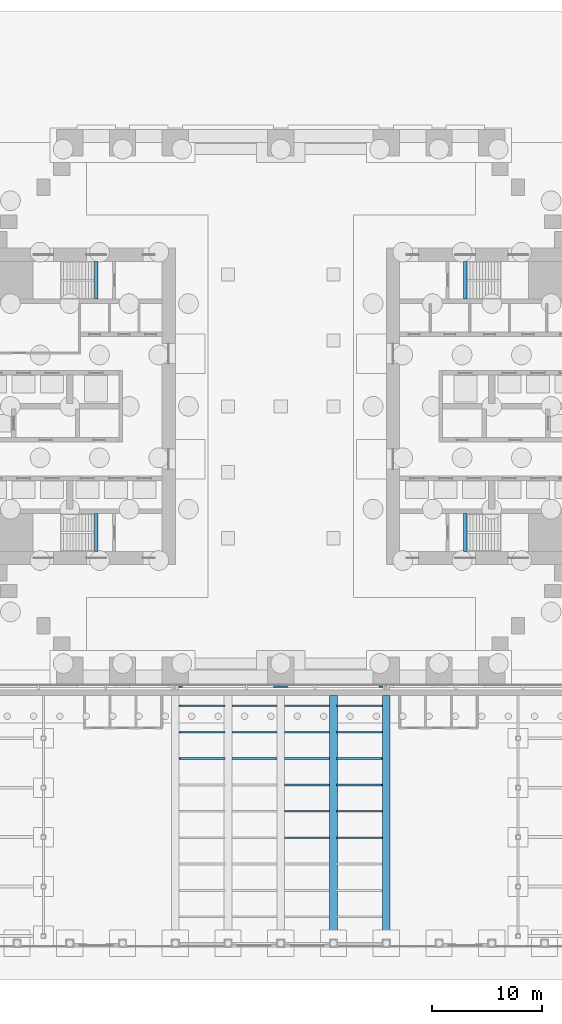
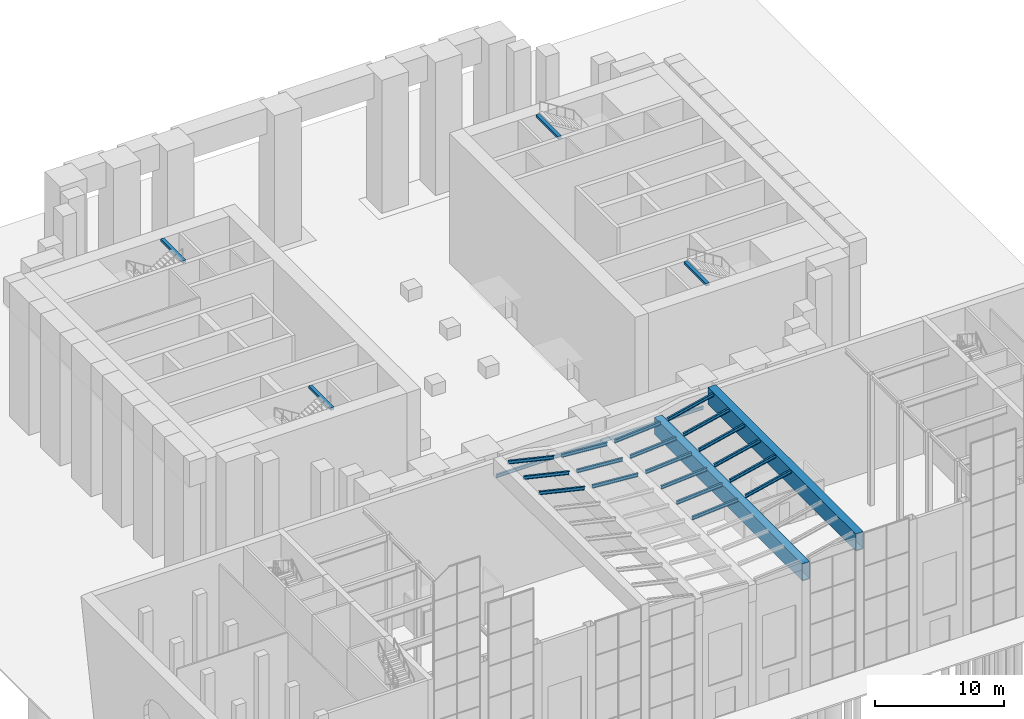
# One storey, part 27 of 58: 25 beams.
"""IFC4 building model written with IfcOpenShell, lengths in metres."""

from ifc_helpers import new_model, si_unit, direction, frame, origin, origin_2d, place, context, subcontext, project, spatial, rectangle, hollow_rectangle, i_section, extrude, material, material_profile, profile_set, type_object, element, save


model = new_model("IFC4")

# Units and contexts
model_context = context("Model", 3, precision=1e-05, world=origin(), true_north=direction((0.0, 1.0)))
body_context = subcontext(model_context, "Body", "Model", "MODEL_VIEW")
ifc_project = project(units=[si_unit("LENGTHUNIT", "METRE"), si_unit("AREAUNIT", "SQUARE_METRE"), si_unit("VOLUMEUNIT", "CUBIC_METRE"), si_unit("PLANEANGLEUNIT", "RADIAN"), si_unit("MASSUNIT", "GRAM", prefix="KILO")], contexts=[model_context])

# Site, building, storey
site_placement = place(None, origin())
site = spatial("IfcSite", under=ifc_project, at=site_placement, CompositionType="ELEMENT")
building_placement = place(site_placement, origin())
building = spatial("IfcBuilding", under=site, at=building_placement, Name="Baori Bourse Tower", CompositionType="ELEMENT")
storey_placement = place(building_placement, origin())
storey = spatial("IfcBuildingStorey", under=building, at=storey_placement, Name="L00", CompositionType="ELEMENT", Elevation=0.0)

# Beams
ifc_material_1 = material(Name="Steel A572 Gr 50", Category="steel")
ifc_material_profile_1 = material_profile(ifc_material_1, hollow_rectangle(XDim=0.699951171875, YDim=1.60009765625, WallThickness=0.030029296875, at=origin_2d()), Name="BOX 1600x700x30")
ifc_profile_set_1 = profile_set([ifc_material_profile_1], Name="Steel A572 Gr 50")
beam_type_1 = type_object("IfcBeamType", Name="Hall box girder 1600x700", PredefinedType="BEAM", material=ifc_profile_set_1)
for number, where, z_axis, x_axis, name in (
    (1, (33.60009765625, -25.199951171875, 11.073486328125), (0.0, 1.0, 0.0), (-1.0, 0.0, 0.0), "wing/L00/girder/004"),
    (2, (38.39990234375, -25.199951171875, 12.229248046875), (0.0, 1.0, 0.0), (-1.0, 0.0, 0.0), "wing/L00/girder/005"),
):
    element("IfcBeam", number, at=place(storey_placement, frame(where, z_axis=z_axis, x_axis=x_axis)), inside=storey, type_object=beam_type_1, Name=name, PredefinedType="BEAM", context=body_context, shape_type="SweptSolid", body=[
        extrude(hollow_rectangle(XDim=0.699951171875, YDim=1.60009765625, WallThickness=0.030029296875, at=origin_2d()), origin(), (0.0, 0.0, 1.0), 22.89990234375),
    ])
ifc_material_2 = material(Name="Concrete f'c 50 MPa", Category="concrete")
ifc_material_profile_2 = material_profile(ifc_material_2, rectangle(XDim=0.300048828125, YDim=0.25, at=origin_2d()), Name="RC 300x250")
ifc_profile_set_2 = profile_set([ifc_material_profile_2], Name="Concrete f'c 50 MPa")
beam_type_2 = type_object("IfcBeamType", Name="Stair nib beam RC 300x250", PredefinedType="BEAM", material=ifc_profile_set_2)
for number, where, z_axis, x_axis, name in (
    (3, (12.0, 10.800048828125, 12.175048828125), (0.0, 1.0, 0.0), (-1.0, 0.0, 0.0), "Stair WA nib beam L01"),
    (4, (12.0, 33.75, 12.175048828125), (0.0, 1.0, 0.0), (-1.0, 0.0, 0.0), "Stair WB nib beam L01"),
    (5, (45.60009765625, 10.800048828125, 12.175048828125), (0.0, 1.0, 0.0), (-1.0, 0.0, 0.0), "Stair EA nib beam L01"),
    (6, (45.60009765625, 33.75, 12.175048828125), (0.0, 1.0, 0.0), (-1.0, 0.0, 0.0), "Stair EB nib beam L01"),
):
    element("IfcBeam", number, at=place(storey_placement, frame(where, z_axis=z_axis, x_axis=x_axis)), inside=storey, type_object=beam_type_2, Name=name, PredefinedType="BEAM", context=body_context, shape_type="SweptSolid", body=[
        extrude(rectangle(XDim=0.300048828125, YDim=0.25, at=origin_2d()), origin(), (0.0, 0.0, 1.0), 3.449951171875),
    ])
ifc_material_3 = material(Name="Steel A992 Gr 50", Category="steel")
ifc_material_profile_3 = material_profile(ifc_material_3, i_section(OverallWidth=0.164794921875, OverallDepth=0.309814453125, WebThickness=0.005859375, FlangeThickness=0.009765625, at=origin_2d()), Name="W12x26")
ifc_profile_set_3 = profile_set([ifc_material_profile_3], Name="Steel A992 Gr 50")
beam_type_3 = type_object("IfcBeamType", Name="Wing beam W12x26", PredefinedType="BEAM", material=ifc_profile_set_3)
for number, where, z_axis, x_axis, name in (
    (7, (19.585205078125, -8.050048828125, 12.980224609375), (0.973884396971, 0.0, -0.227044447933), (0.0, 1.0, 0.0), "wing/L00/purlin/008"),
    (8, (19.585205078125, -5.64990234375, 12.980224609375), (0.973884396971, 0.0, -0.227044447933), (0.0, 1.0, 0.0), "wing/L00/purlin/009"),
    (9, (19.585205078125, -3.25, 12.980224609375), (0.973884396971, 0.0, -0.227044447933), (0.0, 1.0, 0.0), "wing/L00/purlin/010"),
):
    element("IfcBeam", number, at=place(storey_placement, frame(where, z_axis=z_axis, x_axis=x_axis)), inside=storey, type_object=beam_type_3, Name=name, PredefinedType="BEAM", context=body_context, shape_type="SweptSolid", body=[
        extrude(i_section(OverallWidth=0.164794921875, OverallDepth=0.309814453125, WebThickness=0.005859375, FlangeThickness=0.009765625, at=origin_2d()), origin(), (0.0, 0.0, 1.0), 4.209716796875),
    ])
for number, where, z_axis, x_axis, name in (
    (10, (24.36181640625, -8.050048828125, 11.930908203125), (0.997134617999, 0.0, -0.075647561682), (0.0, 1.0, 0.0), "wing/L00/purlin/018"),
    (11, (24.36181640625, -5.64990234375, 11.930908203125), (0.997134617999, 0.0, -0.075647561682), (0.0, 1.0, 0.0), "wing/L00/purlin/019"),
    (12, (24.36181640625, -3.25, 11.930908203125), (0.997134617999, 0.0, -0.075647561682), (0.0, 1.0, 0.0), "wing/L00/purlin/020"),
):
    element("IfcBeam", number, at=place(storey_placement, frame(where, z_axis=z_axis, x_axis=x_axis)), inside=storey, type_object=beam_type_3, Name=name, PredefinedType="BEAM", context=body_context, shape_type="SweptSolid", body=[
        extrude(i_section(OverallWidth=0.164794921875, OverallDepth=0.309814453125, WebThickness=0.005859375, FlangeThickness=0.009765625, at=origin_2d()), origin(), (0.0, 0.0, 1.0), 4.111572265625),
    ])
for number, where, z_axis, x_axis, name in (
    (13, (29.13818359375, -15.25, 11.619873046875), (0.997134957762, 0.0, 0.075643083017), (0.0, 1.0, 0.0), "wing/L00/purlin/025"),
    (14, (29.13818359375, -12.85009765625, 11.619873046875), (0.997134957762, 0.0, 0.075643083017), (0.0, 1.0, 0.0), "wing/L00/purlin/026"),
    (15, (29.13818359375, -10.449951171875, 11.619873046875), (0.997134957762, 0.0, 0.075643083017), (0.0, 1.0, 0.0), "wing/L00/purlin/027"),
    (16, (29.13818359375, -8.050048828125, 11.619873046875), (0.997134957762, 0.0, 0.075643083017), (0.0, 1.0, 0.0), "wing/L00/purlin/028"),
    (17, (29.13818359375, -5.64990234375, 11.619873046875), (0.997134957762, 0.0, 0.075643083017), (0.0, 1.0, 0.0), "wing/L00/purlin/029"),
    (18, (29.13818359375, -3.25, 11.619873046875), (0.997134957762, 0.0, 0.075643083017), (0.0, 1.0, 0.0), "wing/L00/purlin/030"),
):
    element("IfcBeam", number, at=place(storey_placement, frame(where, z_axis=z_axis, x_axis=x_axis)), inside=storey, type_object=beam_type_3, Name=name, PredefinedType="BEAM", context=body_context, shape_type="SweptSolid", body=[
        extrude(i_section(OverallWidth=0.164794921875, OverallDepth=0.309814453125, WebThickness=0.005859375, FlangeThickness=0.009765625, at=origin_2d()), origin(), (0.0, 0.0, 1.0), 4.11181640625),
    ])
for number, where, z_axis, x_axis, name in (
    (19, (33.914794921875, -15.25, 12.0244140625), (0.973887386233, 0.0, 0.227031625408), (0.0, 1.0, 0.0), "wing/L00/purlin/035"),
    (20, (33.914794921875, -12.85009765625, 12.0244140625), (0.973887386233, 0.0, 0.227031625408), (0.0, 1.0, 0.0), "wing/L00/purlin/036"),
    (21, (33.914794921875, -10.449951171875, 12.0244140625), (0.973887386233, 0.0, 0.227031625408), (0.0, 1.0, 0.0), "wing/L00/purlin/037"),
    (22, (33.914794921875, -8.050048828125, 12.0244140625), (0.973887386233, 0.0, 0.227031625408), (0.0, 1.0, 0.0), "wing/L00/purlin/038"),
    (23, (33.914794921875, -5.64990234375, 12.0244140625), (0.973887386233, 0.0, 0.227031625408), (0.0, 1.0, 0.0), "wing/L00/purlin/039"),
    (24, (33.914794921875, -3.25, 12.0244140625), (0.973887386233, 0.0, 0.227031625408), (0.0, 1.0, 0.0), "wing/L00/purlin/040"),
):
    element("IfcBeam", number, at=place(storey_placement, frame(where, z_axis=z_axis, x_axis=x_axis)), inside=storey, type_object=beam_type_3, Name=name, PredefinedType="BEAM", context=body_context, shape_type="SweptSolid", body=[
        extrude(i_section(OverallWidth=0.164794921875, OverallDepth=0.309814453125, WebThickness=0.005859375, FlangeThickness=0.009765625, at=origin_2d()), origin(), (0.0, 0.0, 1.0), 4.2099609375),
    ])
beam_placement = place(storey_placement, frame((19.50732421875, -1.52001953125, 10.64501953125), z_axis=(1.0, 0.0, 0.0), x_axis=(0.0, 1.0, 0.0)))
element("IfcBeam", 25, at=beam_placement, inside=storey, type_object=beam_type_3, Name="wing/L00/canopyedgebeam2/001", PredefinedType="BEAM", context=body_context, shape_type="SweptSolid", body=[
    extrude(i_section(OverallWidth=0.164794921875, OverallDepth=0.309814453125, WebThickness=0.005859375, FlangeThickness=0.009765625, at=origin_2d()), origin(), (0.0, 0.0, 1.0), 18.585205078125),
])

save(model, "model.ifc")
